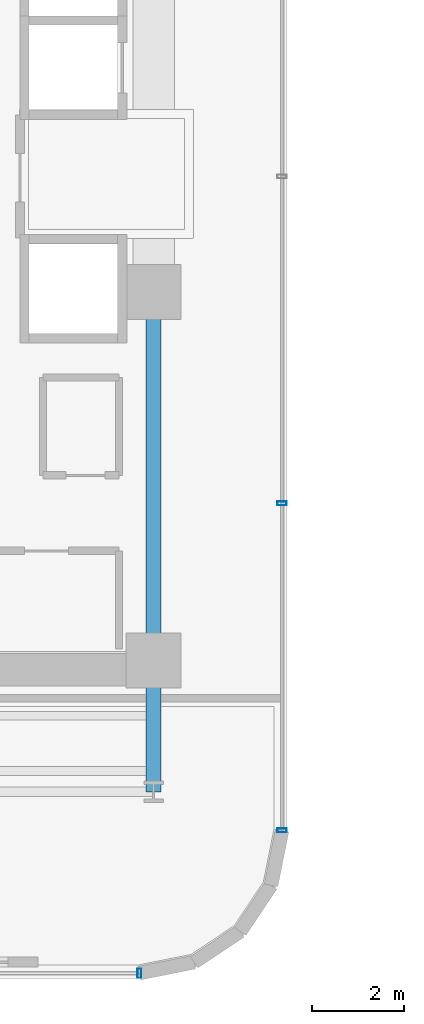
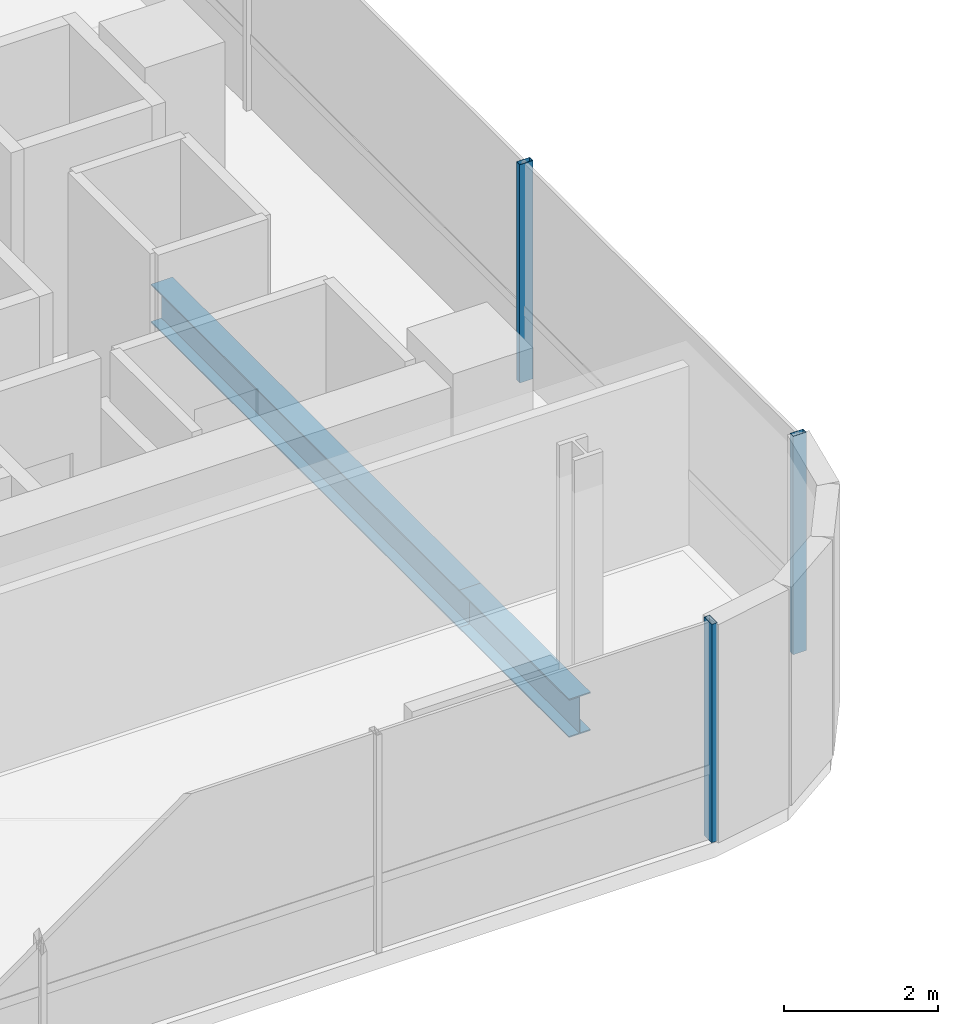
# One storey, part 6 of 35: 3 members, 2 beams, 2 elements without a shape of their own.
"""IFC4 building model written with IfcOpenShell, lengths in metres."""

from ifc_helpers import new_model, si_unit, direction, frame, origin, origin_2d, place, context, subcontext, project, spatial, hollow_rectangle, i_section, extrude, source, transform, mapped, material, material_profile, profile_set, type_object, element, aggregate, save


model = new_model("IFC4")

# Units and contexts
model_context = context("Model", 3, precision=1e-05, world=origin(), true_north=direction((0.0, 1.0)))
body_context = subcontext(model_context, "Body", "Model", "MODEL_VIEW")
ifc_project = project(units=[si_unit("LENGTHUNIT", "METRE"), si_unit("AREAUNIT", "SQUARE_METRE"), si_unit("VOLUMEUNIT", "CUBIC_METRE"), si_unit("PLANEANGLEUNIT", "RADIAN"), si_unit("MASSUNIT", "GRAM", prefix="KILO")], contexts=[model_context])

# Site, building, storey
site_placement = place(None, origin())
site = spatial("IfcSite", under=ifc_project, at=site_placement, CompositionType="ELEMENT")
building_placement = place(site_placement, origin())
building = spatial("IfcBuilding", under=site, at=building_placement, Name="Valdorenza Pilgrim Sanctuary Tower", CompositionType="ELEMENT")
storey_placement = place(building_placement, frame((0.0, 0.0, 150.10009765625)))
storey = spatial("IfcBuildingStorey", under=building, at=storey_placement, Name="L38", CompositionType="ELEMENT", Elevation=150.10009765625)

# Beams
ifc_material_1 = material(Name="Steel ASTM A992 Grade 50", Category="steel")
ifc_material_profile_1 = material_profile(ifc_material_1, i_section(OverallWidth=0.323974609375, OverallDepth=0.611083984375, WebThickness=0.0126953125, FlangeThickness=0.01904296875, at=origin_2d()), Name="W24X104")
ifc_profile_set_1 = profile_set([ifc_material_profile_1], Name="Steel ASTM A992 Grade 50")
beam_type = type_object("IfcBeamType", Name="STR-BM-GRD-W24B", PredefinedType="BEAM", material=ifc_profile_set_1)
shared_shape_1 = source(origin(), body_context, "Body", "SweptSolid", [
    extrude(i_section(OverallWidth=0.323974609375, OverallDepth=0.611083984375, WebThickness=0.0126953125, FlangeThickness=0.01904296875, at=origin_2d()), origin(), (0.0, 0.0, 1.0), 8.0),
])
beam_1_placement = place(storey_placement, frame((-12.39990234375, -10.60009765625, -0.545654296875), z_axis=(0.0, 1.0, 0.0), x_axis=(-1.0, 0.0, 0.0)))
element("IfcBeam", 1, at=beam_1_placement, inside=storey, type_object=beam_type, Name="L38 Core Tie Girder CA-E-S1M0", PredefinedType="BEAM", context=body_context, shape_type="MappedRepresentation", body=[
    mapped(shared_shape_1, transform((0.0, 0.0, 0.0), x_axis=(1.0, 0.0, 0.0), y_axis=(0.0, 1.0, 0.0), z_axis=(0.0, 0.0, 1.0), scale=1.0)),
])
shared_shape_2 = source(origin(), body_context, "Body", "SweptSolid", [
    extrude(i_section(OverallWidth=0.323974609375, OverallDepth=0.611083984375, WebThickness=0.0126953125, FlangeThickness=0.01904296875, at=origin_2d()), origin(), (0.0, 0.0, 1.0), 2.849853515625),
])
beam_2_placement = place(storey_placement, frame((-12.39990234375, -13.449951171875, -0.545654296875), z_axis=(0.0, 1.0, 0.0), x_axis=(-1.0, 0.0, 0.0)))
element("IfcBeam", 2, at=beam_2_placement, inside=storey, type_object=beam_type, Name="L38 Floor Girder WA-S-LE", PredefinedType="BEAM", context=body_context, shape_type="MappedRepresentation", body=[
    mapped(shared_shape_2, transform((0.0, 0.0, 0.0), x_axis=(1.0, 0.0, 0.0), y_axis=(0.0, 1.0, 0.0), z_axis=(0.0, 0.0, 1.0), scale=1.0)),
])

# Curtain wall, members
ifc_material_2 = material(Name="Curtain-wall IGU glazing", Category="glass")
curtain_wall_type = type_object("IfcCurtainWallType", Name="CW-SYS-02", PredefinedType="NOTDEFINED", material=ifc_material_2)
curtain_wall_1_placement = place(storey_placement, origin())
curtain_wall_1 = element("IfcCurtainWall", 3, at=curtain_wall_1_placement, inside=storey, type_object=curtain_wall_type, Name="L38 Curtain Wall CW-L38-1-41", PredefinedType="NOTDEFINED")
ifc_material_3 = material(Name="Anodised aluminium AW-6060", Category="aluminium")
ifc_material_profile_2 = material_profile(ifc_material_3, hollow_rectangle(XDim=0.0849609375, YDim=0.199951171875, WallThickness=0.0048828125, at=origin_2d()), Name="ALU-M 200x85x5")
ifc_profile_set_2 = profile_set([ifc_material_profile_2], Name="Anodised aluminium AW-6060")
member_type = type_object("IfcMemberType", Name="CW-MUL-02", PredefinedType="MULLION", material=ifc_profile_set_2)
shared_shape_3 = source(origin(), body_context, "Body", "SweptSolid", [
    extrude(hollow_rectangle(XDim=0.0849609375, YDim=0.199951171875, WallThickness=0.0048828125, at=origin_2d()), origin(), (0.0, 0.0, 1.0), 3.4599609375),
])
member_1_placement = place(storey_placement, frame((-9.610107421875, -7.189208984375, 0.0), z_axis=(0.0, 0.0, 1.0), x_axis=(0.0, -1.0, 0.0)))
member_1 = element("IfcMember", 4, at=member_1_placement, type_object=member_type, Name="CW-L38-1-41 Mullion 3", PredefinedType="MULLION", context=body_context, shape_type="MappedRepresentation", body=[
    mapped(shared_shape_3, transform((0.0, 0.0, 0.0), x_axis=(1.0, 0.0, 0.0), y_axis=(0.0, 1.0, 0.0), z_axis=(0.0, 0.0, 1.0), scale=1.0)),
])
member_2_placement = place(storey_placement, frame((-9.610107421875, -14.289306640625, 0.0), z_axis=(0.0, 0.0, 1.0), x_axis=(0.0, -1.0, 0.0)))
member_2 = element("IfcMember", 5, at=member_2_placement, type_object=member_type, Name="CW-L38-1-41 Mullion 4", PredefinedType="MULLION", context=body_context, shape_type="MappedRepresentation", body=[
    mapped(shared_shape_3, transform((0.0, 0.0, 0.0), x_axis=(1.0, 0.0, 0.0), y_axis=(0.0, 1.0, 0.0), z_axis=(0.0, 0.0, 1.0), scale=1.0)),
])
aggregate(curtain_wall_1, [member_1, member_2])

# Curtain wall, member
curtain_wall_2_placement = place(storey_placement, origin())
curtain_wall_2 = element("IfcCurtainWall", 6, at=curtain_wall_2_placement, inside=storey, type_object=curtain_wall_type, Name="L38 Curtain Wall CW-L38-1-46", PredefinedType="NOTDEFINED")
member_3_placement = place(storey_placement, frame((-12.710693359375, -17.389892578125, 0.0), z_axis=(0.0, 0.0, 1.0), x_axis=(-1.0, 0.0, 0.0)))
member_3 = element("IfcMember", 7, at=member_3_placement, type_object=member_type, Name="CW-L38-1-46 Mullion 1", PredefinedType="MULLION", context=body_context, shape_type="MappedRepresentation", body=[
    mapped(shared_shape_3, transform((0.0, 0.0, 0.0), x_axis=(1.0, 0.0, 0.0), y_axis=(0.0, 1.0, 0.0), z_axis=(0.0, 0.0, 1.0), scale=1.0)),
])
aggregate(curtain_wall_2, [member_3])

save(model, "model.ifc")
